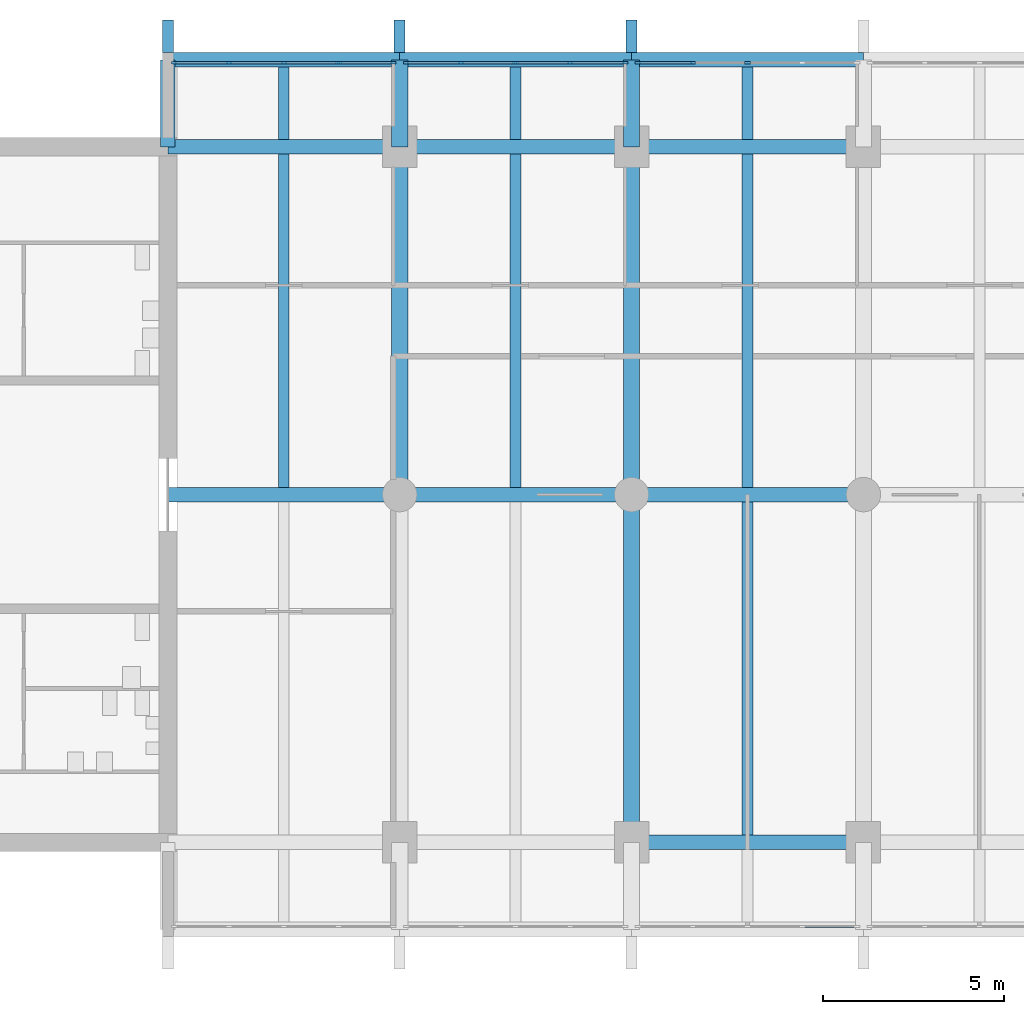
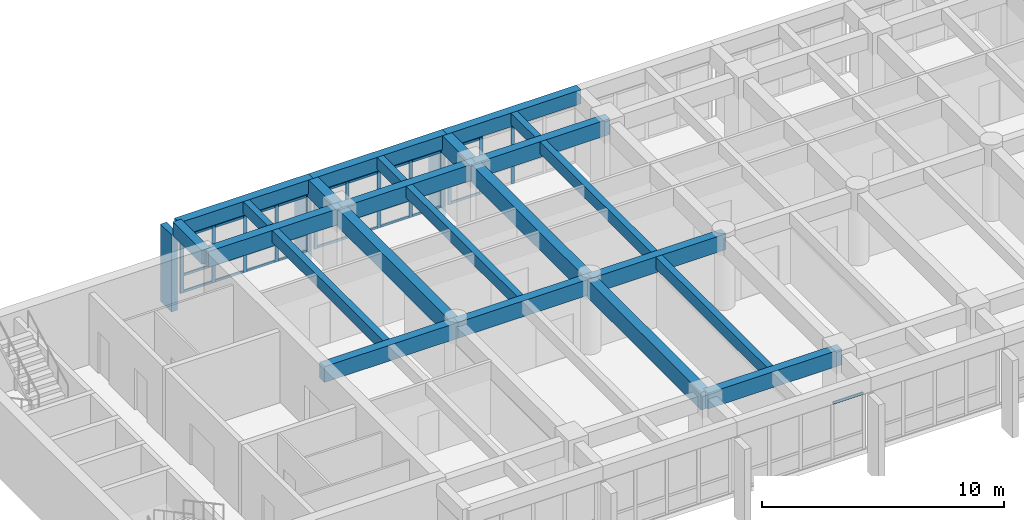
# One storey, part 3 of 15: 44 members, 23 beams, 4 elements without a shape of their own.
"""IFC4 building model written with IfcOpenShell, lengths in metres."""

from ifc_helpers import new_model, si_unit, direction, frame, origin, origin_2d, place, context, subcontext, project, spatial, rectangle, extrude, material, layer, layer_set, material_profile, profile_set, type_object, element, aggregate, save


model = new_model("IFC4")

# Units and contexts
model_context = context("Model", 3, precision=1e-05, world=origin(), true_north=direction((0.0, 1.0)))
body_context = subcontext(model_context, "Body", "Model", "MODEL_VIEW")
ifc_project = project(units=[si_unit("LENGTHUNIT", "METRE"), si_unit("AREAUNIT", "SQUARE_METRE"), si_unit("VOLUMEUNIT", "CUBIC_METRE"), si_unit("PLANEANGLEUNIT", "RADIAN"), si_unit("MASSUNIT", "GRAM", prefix="KILO")], contexts=[model_context])

# Site, building, storey
site_placement = place(None, origin())
site = spatial("IfcSite", under=ifc_project, at=site_placement, CompositionType="ELEMENT")
building_placement = place(site_placement, origin())
building = spatial("IfcBuilding", under=site, at=building_placement, Name="Fogon Plaza Fire Station and Headquarters Tower", CompositionType="ELEMENT")
storey_placement = place(building_placement, frame((0.0, 0.0, 40.5)))
storey = spatial("IfcBuildingStorey", under=building, at=storey_placement, Name="L10", CompositionType="ELEMENT", Elevation=40.5)

# Beams
ifc_material_1 = material(Name="Concrete C40", Category="concrete")
ifc_material_profile_1 = material_profile(ifc_material_1, rectangle(XDim=0.39990234375, YDim=0.699951171875, at=origin_2d()), Name="RC 400x700")
ifc_profile_set_1 = profile_set([ifc_material_profile_1], Name="Concrete C40")
beam_type_1 = type_object("IfcBeamType", Name="BEAM RC 400x700", PredefinedType="BEAM", material=ifc_profile_set_1)
for number, where, z_axis, x_axis, name in (
    (1, (25.60009765625, 55.199951171875, 3.330078125), (1.0, 0.0, 0.0), (0.0, 1.0, 0.0), "beam-L10-045"),
    (2, (32.0, 55.199951171875, 3.330078125), (1.0, 0.0, 0.0), (0.0, 1.0, 0.0), "beam-L10-046"),
):
    element("IfcBeam", number, at=place(storey_placement, frame(where, z_axis=z_axis, x_axis=x_axis)), inside=storey, type_object=beam_type_1, Name=name, PredefinedType="BEAM", context=body_context, shape_type="SweptSolid", body=[
        extrude(rectangle(XDim=0.39990234375, YDim=0.699951171875, at=origin_2d()), origin(), (0.0, 0.0, 1.0), 6.39990234375),
    ])
beam_1_placement = place(storey_placement, frame((38.39990234375, 55.199951171875, 3.330078125), z_axis=(1.0, 0.0, 0.0), x_axis=(0.0, 1.0, 0.0)))
element("IfcBeam", 3, at=beam_1_placement, inside=storey, type_object=beam_type_1, Name="beam-L10-047", PredefinedType="BEAM", context=body_context, shape_type="SweptSolid", body=[
    extrude(rectangle(XDim=0.39990234375, YDim=0.699951171875, at=origin_2d()), origin(), (0.0, 0.0, 1.0), 6.400146484375),
])
ifc_material_2 = material(Name="Concrete C40", Category="concrete")
ifc_material_profile_2 = material_profile(ifc_material_2, rectangle(XDim=0.39990234375, YDim=0.699951171875, at=origin_2d()), Name="RC 400x700")
ifc_profile_set_2 = profile_set([ifc_material_profile_2], Name="Concrete C40")
beam_type_2 = type_object("IfcBeamType", Name="BEAM RC 400x700 SPAN 0.0 TO 3.0 M", PredefinedType="BEAM", material=ifc_profile_set_2)
beam_2_placement = place(storey_placement, frame((25.60009765625, 52.800048828125, 3.330078125), z_axis=(0.0, 1.0, 0.0), x_axis=(-1.0, 0.0, 0.0)))
element("IfcBeam", 4, at=beam_2_placement, inside=storey, type_object=beam_type_2, Name="beam-L10-052", PredefinedType="BEAM", context=body_context, shape_type="SweptSolid", body=[
    extrude(rectangle(XDim=0.39990234375, YDim=0.699951171875, at=origin_2d()), origin(), (0.0, 0.0, 1.0), 2.39990234375),
])
ifc_material_3 = material(Name="Concrete C40", Category="concrete")
ifc_material_profile_3 = material_profile(ifc_material_3, rectangle(XDim=0.39990234375, YDim=0.800048828125, at=origin_2d()), Name="RC 400x800")
ifc_profile_set_3 = profile_set([ifc_material_profile_3], Name="Concrete C40")
beam_type_3 = type_object("IfcBeamType", Name="BEAM RC 400x800", PredefinedType="BEAM", material=ifc_profile_set_3)
beam_3_placement = place(storey_placement, frame((38.39990234375, 33.60009765625, 3.280029296875), z_axis=(1.0, 0.0, 0.0), x_axis=(0.0, 1.0, 0.0)))
element("IfcBeam", 5, at=beam_3_placement, inside=storey, type_object=beam_type_3, Name="beam-L10-023", PredefinedType="BEAM", context=body_context, shape_type="SweptSolid", body=[
    extrude(rectangle(XDim=0.39990234375, YDim=0.800048828125, at=origin_2d()), origin(), (0.0, 0.0, 1.0), 6.400146484375),
])
for number, where, z_axis, x_axis, name in (
    (6, (25.60009765625, 43.199951171875, 3.280029296875), (1.0, 0.0, 0.0), (0.0, 1.0, 0.0), "beam-L10-027"),
    (7, (32.0, 43.199951171875, 3.280029296875), (1.0, 0.0, 0.0), (0.0, 1.0, 0.0), "beam-L10-028"),
):
    element("IfcBeam", number, at=place(storey_placement, frame(where, z_axis=z_axis, x_axis=x_axis)), inside=storey, type_object=beam_type_3, Name=name, PredefinedType="BEAM", context=body_context, shape_type="SweptSolid", body=[
        extrude(rectangle(XDim=0.39990234375, YDim=0.800048828125, at=origin_2d()), origin(), (0.0, 0.0, 1.0), 6.39990234375),
    ])
beam_4_placement = place(storey_placement, frame((38.39990234375, 43.199951171875, 3.280029296875), z_axis=(1.0, 0.0, 0.0), x_axis=(0.0, 1.0, 0.0)))
element("IfcBeam", 8, at=beam_4_placement, inside=storey, type_object=beam_type_3, Name="beam-L10-029", PredefinedType="BEAM", context=body_context, shape_type="SweptSolid", body=[
    extrude(rectangle(XDim=0.39990234375, YDim=0.800048828125, at=origin_2d()), origin(), (0.0, 0.0, 1.0), 6.400146484375),
])
for number, where, z_axis, x_axis, name in (
    (9, (25.60009765625, 52.800048828125, 3.280029296875), (1.0, 0.0, 0.0), (0.0, 1.0, 0.0), "beam-L10-033"),
    (10, (32.0, 52.800048828125, 3.280029296875), (1.0, 0.0, 0.0), (0.0, 1.0, 0.0), "beam-L10-034"),
):
    element("IfcBeam", number, at=place(storey_placement, frame(where, z_axis=z_axis, x_axis=x_axis)), inside=storey, type_object=beam_type_3, Name=name, PredefinedType="BEAM", context=body_context, shape_type="SweptSolid", body=[
        extrude(rectangle(XDim=0.39990234375, YDim=0.800048828125, at=origin_2d()), origin(), (0.0, 0.0, 1.0), 6.39990234375),
    ])
beam_5_placement = place(storey_placement, frame((38.39990234375, 52.800048828125, 3.280029296875), z_axis=(1.0, 0.0, 0.0), x_axis=(0.0, 1.0, 0.0)))
element("IfcBeam", 11, at=beam_5_placement, inside=storey, type_object=beam_type_3, Name="beam-L10-035", PredefinedType="BEAM", context=body_context, shape_type="SweptSolid", body=[
    extrude(rectangle(XDim=0.39990234375, YDim=0.800048828125, at=origin_2d()), origin(), (0.0, 0.0, 1.0), 6.400146484375),
])
ifc_material_4 = material(Name="Concrete C40", Category="concrete")
ifc_material_profile_4 = material_profile(ifc_material_4, rectangle(XDim=0.449951171875, YDim=0.89990234375, at=origin_2d()), Name="RC 450x900")
ifc_profile_set_4 = profile_set([ifc_material_profile_4], Name="Concrete C40")
beam_type_4 = type_object("IfcBeamType", Name="BEAM RC 450x900", PredefinedType="BEAM", material=ifc_profile_set_4)
beam_6_placement = place(storey_placement, frame((32.0, 43.199951171875, 3.22998046875), z_axis=(0.0, 1.0, 0.0), x_axis=(-1.0, 0.0, 0.0)))
element("IfcBeam", 12, at=beam_6_placement, inside=storey, type_object=beam_type_4, Name="beam-L10-003", PredefinedType="BEAM", context=body_context, shape_type="SweptSolid", body=[
    extrude(rectangle(XDim=0.449951171875, YDim=0.89990234375, at=origin_2d()), origin(), (0.0, 0.0, 1.0), 9.60009765625),
])
beam_7_placement = place(storey_placement, frame((38.39990234375, 33.60009765625, 3.22998046875), z_axis=(0.0, 1.0, 0.0), x_axis=(-1.0, 0.0, 0.0)))
element("IfcBeam", 13, at=beam_7_placement, inside=storey, type_object=beam_type_4, Name="beam-L10-006", PredefinedType="BEAM", context=body_context, shape_type="SweptSolid", body=[
    extrude(rectangle(XDim=0.449951171875, YDim=0.89990234375, at=origin_2d()), origin(), (0.0, 0.0, 1.0), 9.599853515625),
])
beam_8_placement = place(storey_placement, frame((38.39990234375, 43.199951171875, 3.22998046875), z_axis=(0.0, 1.0, 0.0), x_axis=(-1.0, 0.0, 0.0)))
element("IfcBeam", 14, at=beam_8_placement, inside=storey, type_object=beam_type_4, Name="beam-L10-007", PredefinedType="BEAM", context=body_context, shape_type="SweptSolid", body=[
    extrude(rectangle(XDim=0.449951171875, YDim=0.89990234375, at=origin_2d()), origin(), (0.0, 0.0, 1.0), 9.60009765625),
])
ifc_material_5 = material(Name="Concrete C40", Category="concrete")
ifc_material_profile_5 = material_profile(ifc_material_5, rectangle(XDim=0.449951171875, YDim=0.89990234375, at=origin_2d()), Name="RC 450x900")
ifc_profile_set_5 = profile_set([ifc_material_profile_5], Name="Concrete C40")
beam_type_5 = type_object("IfcBeamType", Name="BEAM RC 450x900 SPAN 0.0 TO 3.0 M", PredefinedType="BEAM", material=ifc_profile_set_5)
for number, where, z_axis, x_axis, name in (
    (15, (32.0, 52.800048828125, 3.22998046875), (0.0, 1.0, 0.0), (-1.0, 0.0, 0.0), "beam-L10-004"),
    (16, (38.39990234375, 52.800048828125, 3.22998046875), (0.0, 1.0, 0.0), (-1.0, 0.0, 0.0), "beam-L10-008"),
):
    element("IfcBeam", number, at=place(storey_placement, frame(where, z_axis=z_axis, x_axis=x_axis)), inside=storey, type_object=beam_type_5, Name=name, PredefinedType="BEAM", context=body_context, shape_type="SweptSolid", body=[
        extrude(rectangle(XDim=0.449951171875, YDim=0.89990234375, at=origin_2d()), origin(), (0.0, 0.0, 1.0), 2.39990234375),
    ])

# Curtain wall, members
ifc_material_6 = material(Name="Aluminium and glass", Category="aluminium")
ifc_layer = layer(ifc_material_6, 0.14990234375)
ifc_layer_set = layer_set([ifc_layer], Name="Aluminium and glass")
curtain_wall_type = type_object("IfcCurtainWallType", Name="Unitised Curtain Wall Run 6100x2880", PredefinedType="NOTDEFINED", material=ifc_layer_set)
curtain_wall_1_placement = place(storey_placement, origin())
curtain_wall_1 = element("IfcCurtainWall", 17, at=curtain_wall_1_placement, inside=storey, type_object=curtain_wall_type, Name="CW-6100x2880 N1 L10", PredefinedType="NOTDEFINED")
ifc_material_7 = material(Name="Aluminium", Category="aluminium")
ifc_material_profile_6 = material_profile(ifc_material_7, rectangle(XDim=0.06005859375, YDim=0.159912109375, at=origin_2d()), Name="Curtain Wall Mullion 60x160")
ifc_profile_set_6 = profile_set([ifc_material_profile_6], Name="Aluminium")
member_type_1 = type_object("IfcMemberType", Name="Curtain Wall Mullion 60x160", PredefinedType="MULLION", material=ifc_profile_set_6)
member_1_placement = place(storey_placement, frame((25.780029296875, 55.1201171875, 0.0), z_axis=(0.0, 0.0, 1.0), x_axis=(0.0, 1.0, 0.0)))
member_1 = element("IfcMember", 18, at=member_1_placement, type_object=member_type_1, Name="CW-6100x2880 mullion 1", PredefinedType="MULLION", context=body_context, shape_type="SweptSolid", body=[
    extrude(rectangle(XDim=0.06005859375, YDim=0.159912109375, at=origin_2d()), origin(), (0.0, 0.0, 1.0), 2.8798828125),
])
member_2_placement = place(storey_placement, frame((27.2900390625, 55.1201171875, 0.0), z_axis=(0.0, 0.0, 1.0), x_axis=(0.0, 1.0, 0.0)))
member_2 = element("IfcMember", 19, at=member_2_placement, type_object=member_type_1, Name="CW-6100x2880 mullion 2", PredefinedType="MULLION", context=body_context, shape_type="SweptSolid", body=[
    extrude(rectangle(XDim=0.06005859375, YDim=0.159912109375, at=origin_2d()), origin(), (0.0, 0.0, 1.0), 2.8798828125),
])
member_3_placement = place(storey_placement, frame((28.800048828125, 55.1201171875, 0.0), z_axis=(0.0, 0.0, 1.0), x_axis=(0.0, 1.0, 0.0)))
member_3 = element("IfcMember", 20, at=member_3_placement, type_object=member_type_1, Name="CW-6100x2880 mullion 3", PredefinedType="MULLION", context=body_context, shape_type="SweptSolid", body=[
    extrude(rectangle(XDim=0.06005859375, YDim=0.159912109375, at=origin_2d()), origin(), (0.0, 0.0, 1.0), 2.8798828125),
])
member_4_placement = place(storey_placement, frame((30.31005859375, 55.1201171875, 0.0), z_axis=(0.0, 0.0, 1.0), x_axis=(0.0, 1.0, 0.0)))
member_4 = element("IfcMember", 21, at=member_4_placement, type_object=member_type_1, Name="CW-6100x2880 mullion 4", PredefinedType="MULLION", context=body_context, shape_type="SweptSolid", body=[
    extrude(rectangle(XDim=0.06005859375, YDim=0.159912109375, at=origin_2d()), origin(), (0.0, 0.0, 1.0), 2.8798828125),
])
member_5_placement = place(storey_placement, frame((31.820068359375, 55.1201171875, 0.0), z_axis=(0.0, 0.0, 1.0), x_axis=(0.0, 1.0, 0.0)))
member_5 = element("IfcMember", 22, at=member_5_placement, type_object=member_type_1, Name="CW-6100x2880 mullion 5", PredefinedType="MULLION", context=body_context, shape_type="SweptSolid", body=[
    extrude(rectangle(XDim=0.06005859375, YDim=0.159912109375, at=origin_2d()), origin(), (0.0, 0.0, 1.0), 2.8798828125),
])

curtain_wall_2_placement = place(storey_placement, origin())
curtain_wall_2 = element("IfcCurtainWall", 23, at=curtain_wall_2_placement, inside=storey, type_object=curtain_wall_type, Name="CW-6100x2880 N2 L10", PredefinedType="NOTDEFINED")
member_6_placement = place(storey_placement, frame((32.179931640625, 55.1201171875, 0.0), z_axis=(0.0, 0.0, 1.0), x_axis=(0.0, 1.0, 0.0)))
member_6 = element("IfcMember", 24, at=member_6_placement, type_object=member_type_1, Name="CW-6100x2880 mullion 1", PredefinedType="MULLION", context=body_context, shape_type="SweptSolid", body=[
    extrude(rectangle(XDim=0.06005859375, YDim=0.159912109375, at=origin_2d()), origin(), (0.0, 0.0, 1.0), 2.8798828125),
])
member_7_placement = place(storey_placement, frame((33.68994140625, 55.1201171875, 0.0), z_axis=(0.0, 0.0, 1.0), x_axis=(0.0, 1.0, 0.0)))
member_7 = element("IfcMember", 25, at=member_7_placement, type_object=member_type_1, Name="CW-6100x2880 mullion 2", PredefinedType="MULLION", context=body_context, shape_type="SweptSolid", body=[
    extrude(rectangle(XDim=0.06005859375, YDim=0.159912109375, at=origin_2d()), origin(), (0.0, 0.0, 1.0), 2.8798828125),
])
member_8_placement = place(storey_placement, frame((35.199951171875, 55.1201171875, 0.0), z_axis=(0.0, 0.0, 1.0), x_axis=(0.0, 1.0, 0.0)))
member_8 = element("IfcMember", 26, at=member_8_placement, type_object=member_type_1, Name="CW-6100x2880 mullion 3", PredefinedType="MULLION", context=body_context, shape_type="SweptSolid", body=[
    extrude(rectangle(XDim=0.06005859375, YDim=0.159912109375, at=origin_2d()), origin(), (0.0, 0.0, 1.0), 2.8798828125),
])
member_9_placement = place(storey_placement, frame((36.7099609375, 55.1201171875, 0.0), z_axis=(0.0, 0.0, 1.0), x_axis=(0.0, 1.0, 0.0)))
member_9 = element("IfcMember", 27, at=member_9_placement, type_object=member_type_1, Name="CW-6100x2880 mullion 4", PredefinedType="MULLION", context=body_context, shape_type="SweptSolid", body=[
    extrude(rectangle(XDim=0.06005859375, YDim=0.159912109375, at=origin_2d()), origin(), (0.0, 0.0, 1.0), 2.8798828125),
])
member_10_placement = place(storey_placement, frame((38.219970703125, 55.1201171875, 0.0), z_axis=(0.0, 0.0, 1.0), x_axis=(0.0, 1.0, 0.0)))
member_10 = element("IfcMember", 28, at=member_10_placement, type_object=member_type_1, Name="CW-6100x2880 mullion 5", PredefinedType="MULLION", context=body_context, shape_type="SweptSolid", body=[
    extrude(rectangle(XDim=0.06005859375, YDim=0.159912109375, at=origin_2d()), origin(), (0.0, 0.0, 1.0), 2.8798828125),
])

curtain_wall_3_placement = place(storey_placement, origin())
curtain_wall_3 = element("IfcCurtainWall", 29, at=curtain_wall_3_placement, inside=storey, type_object=curtain_wall_type, Name="CW-6100x2880 N3 L10", PredefinedType="NOTDEFINED")
member_11_placement = place(storey_placement, frame((38.580078125, 55.1201171875, 0.0), z_axis=(0.0, 0.0, 1.0), x_axis=(0.0, 1.0, 0.0)))
member_11 = element("IfcMember", 30, at=member_11_placement, type_object=member_type_1, Name="CW-6100x2880 mullion 1", PredefinedType="MULLION", context=body_context, shape_type="SweptSolid", body=[
    extrude(rectangle(XDim=0.06005859375, YDim=0.159912109375, at=origin_2d()), origin(), (0.0, 0.0, 1.0), 2.8798828125),
])
member_12_placement = place(storey_placement, frame((40.090087890625, 55.1201171875, 0.0), z_axis=(0.0, 0.0, 1.0), x_axis=(0.0, 1.0, 0.0)))
member_12 = element("IfcMember", 31, at=member_12_placement, type_object=member_type_1, Name="CW-6100x2880 mullion 2", PredefinedType="MULLION", context=body_context, shape_type="SweptSolid", body=[
    extrude(rectangle(XDim=0.06005859375, YDim=0.159912109375, at=origin_2d()), origin(), (0.0, 0.0, 1.0), 2.8798828125),
])
member_13_placement = place(storey_placement, frame((41.60009765625, 55.1201171875, 0.0), z_axis=(0.0, 0.0, 1.0), x_axis=(0.0, 1.0, 0.0)))
member_13 = element("IfcMember", 32, at=member_13_placement, type_object=member_type_1, Name="CW-6100x2880 mullion 3", PredefinedType="MULLION", context=body_context, shape_type="SweptSolid", body=[
    extrude(rectangle(XDim=0.06005859375, YDim=0.159912109375, at=origin_2d()), origin(), (0.0, 0.0, 1.0), 2.8798828125),
])

# Curtain wall, member
curtain_wall_4_placement = place(storey_placement, origin())
curtain_wall_4 = element("IfcCurtainWall", 33, at=curtain_wall_4_placement, inside=storey, type_object=curtain_wall_type, Name="CW-6100x2880 S3 L10", PredefinedType="NOTDEFINED")
ifc_material_8 = material(Name="Aluminium", Category="aluminium")
ifc_material_profile_7 = material_profile(ifc_material_8, rectangle(XDim=0.06005859375, YDim=0.1201171875, at=origin_2d()), Name="Curtain Wall Transom 60x120")
ifc_profile_set_7 = profile_set([ifc_material_profile_7], Name="Aluminium")
member_type_2 = type_object("IfcMemberType", Name="Curtain Wall Transom 60x120", PredefinedType="USERDEFINED", material=ifc_profile_set_7)
member_14_placement = place(storey_placement, frame((43.139892578125, 31.280029296875, 2.820068359375), z_axis=(1.0, 0.0, 0.0), x_axis=(0.0, 1.0, 0.0)))
member_14 = element("IfcMember", 34, at=member_14_placement, type_object=member_type_2, Name="CW-6100x2880 transom 4.3", ObjectType="TRANSOM", PredefinedType="USERDEFINED", context=body_context, shape_type="SweptSolid", body=[
    extrude(rectangle(XDim=0.06005859375, YDim=0.1201171875, at=origin_2d()), origin(), (0.0, 0.0, 1.0), 1.4501953125),
])
aggregate(curtain_wall_4, [member_14])

# Member
member_15_placement = place(storey_placement, frame((25.81005859375, 55.1201171875, 0.06005859375), z_axis=(1.0, 0.0, 0.0), x_axis=(0.0, 1.0, 0.0)))
member_15 = element("IfcMember", 35, at=member_15_placement, type_object=member_type_2, Name="CW-6100x2880 transom 1.1", ObjectType="TRANSOM", PredefinedType="USERDEFINED", context=body_context, shape_type="SweptSolid", body=[
    extrude(rectangle(XDim=0.06005859375, YDim=0.1201171875, at=origin_2d()), origin(), (0.0, 0.0, 1.0), 1.449951171875),
])

member_16_placement = place(storey_placement, frame((25.81005859375, 55.1201171875, 0.89990234375), z_axis=(1.0, 0.0, 0.0), x_axis=(0.0, 1.0, 0.0)))
member_16 = element("IfcMember", 36, at=member_16_placement, type_object=member_type_2, Name="CW-6100x2880 transom 1.2", ObjectType="TRANSOM", PredefinedType="USERDEFINED", context=body_context, shape_type="SweptSolid", body=[
    extrude(rectangle(XDim=0.06005859375, YDim=0.1201171875, at=origin_2d()), origin(), (0.0, 0.0, 1.0), 1.449951171875),
])

member_17_placement = place(storey_placement, frame((25.81005859375, 55.1201171875, 2.820068359375), z_axis=(1.0, 0.0, 0.0), x_axis=(0.0, 1.0, 0.0)))
member_17 = element("IfcMember", 37, at=member_17_placement, type_object=member_type_2, Name="CW-6100x2880 transom 1.3", ObjectType="TRANSOM", PredefinedType="USERDEFINED", context=body_context, shape_type="SweptSolid", body=[
    extrude(rectangle(XDim=0.06005859375, YDim=0.1201171875, at=origin_2d()), origin(), (0.0, 0.0, 1.0), 1.449951171875),
])

member_18_placement = place(storey_placement, frame((27.320068359375, 55.1201171875, 0.06005859375), z_axis=(1.0, 0.0, 0.0), x_axis=(0.0, 1.0, 0.0)))
member_18 = element("IfcMember", 38, at=member_18_placement, type_object=member_type_2, Name="CW-6100x2880 transom 2.1", ObjectType="TRANSOM", PredefinedType="USERDEFINED", context=body_context, shape_type="SweptSolid", body=[
    extrude(rectangle(XDim=0.06005859375, YDim=0.1201171875, at=origin_2d()), origin(), (0.0, 0.0, 1.0), 1.449951171875),
])

member_19_placement = place(storey_placement, frame((27.320068359375, 55.1201171875, 0.89990234375), z_axis=(1.0, 0.0, 0.0), x_axis=(0.0, 1.0, 0.0)))
member_19 = element("IfcMember", 39, at=member_19_placement, type_object=member_type_2, Name="CW-6100x2880 transom 2.2", ObjectType="TRANSOM", PredefinedType="USERDEFINED", context=body_context, shape_type="SweptSolid", body=[
    extrude(rectangle(XDim=0.06005859375, YDim=0.1201171875, at=origin_2d()), origin(), (0.0, 0.0, 1.0), 1.449951171875),
])

member_20_placement = place(storey_placement, frame((27.320068359375, 55.1201171875, 2.820068359375), z_axis=(1.0, 0.0, 0.0), x_axis=(0.0, 1.0, 0.0)))
member_20 = element("IfcMember", 40, at=member_20_placement, type_object=member_type_2, Name="CW-6100x2880 transom 2.3", ObjectType="TRANSOM", PredefinedType="USERDEFINED", context=body_context, shape_type="SweptSolid", body=[
    extrude(rectangle(XDim=0.06005859375, YDim=0.1201171875, at=origin_2d()), origin(), (0.0, 0.0, 1.0), 1.449951171875),
])

member_21_placement = place(storey_placement, frame((28.830078125, 55.1201171875, 0.06005859375), z_axis=(1.0, 0.0, 0.0), x_axis=(0.0, 1.0, 0.0)))
member_21 = element("IfcMember", 41, at=member_21_placement, type_object=member_type_2, Name="CW-6100x2880 transom 3.1", ObjectType="TRANSOM", PredefinedType="USERDEFINED", context=body_context, shape_type="SweptSolid", body=[
    extrude(rectangle(XDim=0.06005859375, YDim=0.1201171875, at=origin_2d()), origin(), (0.0, 0.0, 1.0), 1.449951171875),
])

member_22_placement = place(storey_placement, frame((28.830078125, 55.1201171875, 0.89990234375), z_axis=(1.0, 0.0, 0.0), x_axis=(0.0, 1.0, 0.0)))
member_22 = element("IfcMember", 42, at=member_22_placement, type_object=member_type_2, Name="CW-6100x2880 transom 3.2", ObjectType="TRANSOM", PredefinedType="USERDEFINED", context=body_context, shape_type="SweptSolid", body=[
    extrude(rectangle(XDim=0.06005859375, YDim=0.1201171875, at=origin_2d()), origin(), (0.0, 0.0, 1.0), 1.449951171875),
])

member_23_placement = place(storey_placement, frame((28.830078125, 55.1201171875, 2.820068359375), z_axis=(1.0, 0.0, 0.0), x_axis=(0.0, 1.0, 0.0)))
member_23 = element("IfcMember", 43, at=member_23_placement, type_object=member_type_2, Name="CW-6100x2880 transom 3.3", ObjectType="TRANSOM", PredefinedType="USERDEFINED", context=body_context, shape_type="SweptSolid", body=[
    extrude(rectangle(XDim=0.06005859375, YDim=0.1201171875, at=origin_2d()), origin(), (0.0, 0.0, 1.0), 1.449951171875),
])

member_24_placement = place(storey_placement, frame((30.340087890625, 55.1201171875, 0.06005859375), z_axis=(1.0, 0.0, 0.0), x_axis=(0.0, 1.0, 0.0)))
member_24 = element("IfcMember", 44, at=member_24_placement, type_object=member_type_2, Name="CW-6100x2880 transom 4.1", ObjectType="TRANSOM", PredefinedType="USERDEFINED", context=body_context, shape_type="SweptSolid", body=[
    extrude(rectangle(XDim=0.06005859375, YDim=0.1201171875, at=origin_2d()), origin(), (0.0, 0.0, 1.0), 1.449951171875),
])

member_25_placement = place(storey_placement, frame((30.340087890625, 55.1201171875, 0.89990234375), z_axis=(1.0, 0.0, 0.0), x_axis=(0.0, 1.0, 0.0)))
member_25 = element("IfcMember", 45, at=member_25_placement, type_object=member_type_2, Name="CW-6100x2880 transom 4.2", ObjectType="TRANSOM", PredefinedType="USERDEFINED", context=body_context, shape_type="SweptSolid", body=[
    extrude(rectangle(XDim=0.06005859375, YDim=0.1201171875, at=origin_2d()), origin(), (0.0, 0.0, 1.0), 1.449951171875),
])

member_26_placement = place(storey_placement, frame((30.340087890625, 55.1201171875, 2.820068359375), z_axis=(1.0, 0.0, 0.0), x_axis=(0.0, 1.0, 0.0)))
member_26 = element("IfcMember", 46, at=member_26_placement, type_object=member_type_2, Name="CW-6100x2880 transom 4.3", ObjectType="TRANSOM", PredefinedType="USERDEFINED", context=body_context, shape_type="SweptSolid", body=[
    extrude(rectangle(XDim=0.06005859375, YDim=0.1201171875, at=origin_2d()), origin(), (0.0, 0.0, 1.0), 1.449951171875),
])

aggregate(curtain_wall_1, [member_1, member_2, member_3, member_4, member_5, member_15, member_16, member_17, member_18, member_19, member_20, member_21, member_22, member_23, member_24, member_25, member_26])

member_27_placement = place(storey_placement, frame((32.2099609375, 55.1201171875, 0.06005859375), z_axis=(1.0, 0.0, 0.0), x_axis=(0.0, 1.0, 0.0)))
member_27 = element("IfcMember", 47, at=member_27_placement, type_object=member_type_2, Name="CW-6100x2880 transom 1.1", ObjectType="TRANSOM", PredefinedType="USERDEFINED", context=body_context, shape_type="SweptSolid", body=[
    extrude(rectangle(XDim=0.06005859375, YDim=0.1201171875, at=origin_2d()), origin(), (0.0, 0.0, 1.0), 1.449951171875),
])

member_28_placement = place(storey_placement, frame((32.2099609375, 55.1201171875, 0.89990234375), z_axis=(1.0, 0.0, 0.0), x_axis=(0.0, 1.0, 0.0)))
member_28 = element("IfcMember", 48, at=member_28_placement, type_object=member_type_2, Name="CW-6100x2880 transom 1.2", ObjectType="TRANSOM", PredefinedType="USERDEFINED", context=body_context, shape_type="SweptSolid", body=[
    extrude(rectangle(XDim=0.06005859375, YDim=0.1201171875, at=origin_2d()), origin(), (0.0, 0.0, 1.0), 1.449951171875),
])

member_29_placement = place(storey_placement, frame((32.2099609375, 55.1201171875, 2.820068359375), z_axis=(1.0, 0.0, 0.0), x_axis=(0.0, 1.0, 0.0)))
member_29 = element("IfcMember", 49, at=member_29_placement, type_object=member_type_2, Name="CW-6100x2880 transom 1.3", ObjectType="TRANSOM", PredefinedType="USERDEFINED", context=body_context, shape_type="SweptSolid", body=[
    extrude(rectangle(XDim=0.06005859375, YDim=0.1201171875, at=origin_2d()), origin(), (0.0, 0.0, 1.0), 1.449951171875),
])

member_30_placement = place(storey_placement, frame((33.719970703125, 55.1201171875, 0.06005859375), z_axis=(1.0, 0.0, 0.0), x_axis=(0.0, 1.0, 0.0)))
member_30 = element("IfcMember", 50, at=member_30_placement, type_object=member_type_2, Name="CW-6100x2880 transom 2.1", ObjectType="TRANSOM", PredefinedType="USERDEFINED", context=body_context, shape_type="SweptSolid", body=[
    extrude(rectangle(XDim=0.06005859375, YDim=0.1201171875, at=origin_2d()), origin(), (0.0, 0.0, 1.0), 1.449951171875),
])

member_31_placement = place(storey_placement, frame((33.719970703125, 55.1201171875, 0.89990234375), z_axis=(1.0, 0.0, 0.0), x_axis=(0.0, 1.0, 0.0)))
member_31 = element("IfcMember", 51, at=member_31_placement, type_object=member_type_2, Name="CW-6100x2880 transom 2.2", ObjectType="TRANSOM", PredefinedType="USERDEFINED", context=body_context, shape_type="SweptSolid", body=[
    extrude(rectangle(XDim=0.06005859375, YDim=0.1201171875, at=origin_2d()), origin(), (0.0, 0.0, 1.0), 1.449951171875),
])

member_32_placement = place(storey_placement, frame((33.719970703125, 55.1201171875, 2.820068359375), z_axis=(1.0, 0.0, 0.0), x_axis=(0.0, 1.0, 0.0)))
member_32 = element("IfcMember", 52, at=member_32_placement, type_object=member_type_2, Name="CW-6100x2880 transom 2.3", ObjectType="TRANSOM", PredefinedType="USERDEFINED", context=body_context, shape_type="SweptSolid", body=[
    extrude(rectangle(XDim=0.06005859375, YDim=0.1201171875, at=origin_2d()), origin(), (0.0, 0.0, 1.0), 1.449951171875),
])

member_33_placement = place(storey_placement, frame((35.22998046875, 55.1201171875, 0.06005859375), z_axis=(1.0, 0.0, 0.0), x_axis=(0.0, 1.0, 0.0)))
member_33 = element("IfcMember", 53, at=member_33_placement, type_object=member_type_2, Name="CW-6100x2880 transom 3.1", ObjectType="TRANSOM", PredefinedType="USERDEFINED", context=body_context, shape_type="SweptSolid", body=[
    extrude(rectangle(XDim=0.06005859375, YDim=0.1201171875, at=origin_2d()), origin(), (0.0, 0.0, 1.0), 1.449951171875),
])

member_34_placement = place(storey_placement, frame((35.22998046875, 55.1201171875, 0.89990234375), z_axis=(1.0, 0.0, 0.0), x_axis=(0.0, 1.0, 0.0)))
member_34 = element("IfcMember", 54, at=member_34_placement, type_object=member_type_2, Name="CW-6100x2880 transom 3.2", ObjectType="TRANSOM", PredefinedType="USERDEFINED", context=body_context, shape_type="SweptSolid", body=[
    extrude(rectangle(XDim=0.06005859375, YDim=0.1201171875, at=origin_2d()), origin(), (0.0, 0.0, 1.0), 1.449951171875),
])

member_35_placement = place(storey_placement, frame((35.22998046875, 55.1201171875, 2.820068359375), z_axis=(1.0, 0.0, 0.0), x_axis=(0.0, 1.0, 0.0)))
member_35 = element("IfcMember", 55, at=member_35_placement, type_object=member_type_2, Name="CW-6100x2880 transom 3.3", ObjectType="TRANSOM", PredefinedType="USERDEFINED", context=body_context, shape_type="SweptSolid", body=[
    extrude(rectangle(XDim=0.06005859375, YDim=0.1201171875, at=origin_2d()), origin(), (0.0, 0.0, 1.0), 1.449951171875),
])

member_36_placement = place(storey_placement, frame((36.739990234375, 55.1201171875, 0.06005859375), z_axis=(1.0, 0.0, 0.0), x_axis=(0.0, 1.0, 0.0)))
member_36 = element("IfcMember", 56, at=member_36_placement, type_object=member_type_2, Name="CW-6100x2880 transom 4.1", ObjectType="TRANSOM", PredefinedType="USERDEFINED", context=body_context, shape_type="SweptSolid", body=[
    extrude(rectangle(XDim=0.06005859375, YDim=0.1201171875, at=origin_2d()), origin(), (0.0, 0.0, 1.0), 1.449951171875),
])

member_37_placement = place(storey_placement, frame((36.739990234375, 55.1201171875, 0.89990234375), z_axis=(1.0, 0.0, 0.0), x_axis=(0.0, 1.0, 0.0)))
member_37 = element("IfcMember", 57, at=member_37_placement, type_object=member_type_2, Name="CW-6100x2880 transom 4.2", ObjectType="TRANSOM", PredefinedType="USERDEFINED", context=body_context, shape_type="SweptSolid", body=[
    extrude(rectangle(XDim=0.06005859375, YDim=0.1201171875, at=origin_2d()), origin(), (0.0, 0.0, 1.0), 1.449951171875),
])

member_38_placement = place(storey_placement, frame((36.739990234375, 55.1201171875, 2.820068359375), z_axis=(1.0, 0.0, 0.0), x_axis=(0.0, 1.0, 0.0)))
member_38 = element("IfcMember", 58, at=member_38_placement, type_object=member_type_2, Name="CW-6100x2880 transom 4.3", ObjectType="TRANSOM", PredefinedType="USERDEFINED", context=body_context, shape_type="SweptSolid", body=[
    extrude(rectangle(XDim=0.06005859375, YDim=0.1201171875, at=origin_2d()), origin(), (0.0, 0.0, 1.0), 1.449951171875),
])

aggregate(curtain_wall_2, [member_6, member_7, member_8, member_9, member_10, member_27, member_28, member_29, member_30, member_31, member_32, member_33, member_34, member_35, member_36, member_37, member_38])

member_39_placement = place(storey_placement, frame((38.610107421875, 55.1201171875, 0.06005859375), z_axis=(1.0, 0.0, 0.0), x_axis=(0.0, 1.0, 0.0)))
member_39 = element("IfcMember", 59, at=member_39_placement, type_object=member_type_2, Name="CW-6100x2880 transom 1.1", ObjectType="TRANSOM", PredefinedType="USERDEFINED", context=body_context, shape_type="SweptSolid", body=[
    extrude(rectangle(XDim=0.06005859375, YDim=0.1201171875, at=origin_2d()), origin(), (0.0, 0.0, 1.0), 1.449951171875),
])

member_40_placement = place(storey_placement, frame((38.610107421875, 55.1201171875, 0.89990234375), z_axis=(1.0, 0.0, 0.0), x_axis=(0.0, 1.0, 0.0)))
member_40 = element("IfcMember", 60, at=member_40_placement, type_object=member_type_2, Name="CW-6100x2880 transom 1.2", ObjectType="TRANSOM", PredefinedType="USERDEFINED", context=body_context, shape_type="SweptSolid", body=[
    extrude(rectangle(XDim=0.06005859375, YDim=0.1201171875, at=origin_2d()), origin(), (0.0, 0.0, 1.0), 1.449951171875),
])

member_41_placement = place(storey_placement, frame((38.610107421875, 55.1201171875, 2.820068359375), z_axis=(1.0, 0.0, 0.0), x_axis=(0.0, 1.0, 0.0)))
member_41 = element("IfcMember", 61, at=member_41_placement, type_object=member_type_2, Name="CW-6100x2880 transom 1.3", ObjectType="TRANSOM", PredefinedType="USERDEFINED", context=body_context, shape_type="SweptSolid", body=[
    extrude(rectangle(XDim=0.06005859375, YDim=0.1201171875, at=origin_2d()), origin(), (0.0, 0.0, 1.0), 1.449951171875),
])

aggregate(curtain_wall_3, [member_11, member_12, member_13, member_39, member_40, member_41])

# Beams
ifc_material_9 = material(Name="Concrete C40", Category="concrete")
ifc_material_profile_8 = material_profile(ifc_material_9, rectangle(XDim=0.300048828125, YDim=0.60009765625, at=origin_2d()), Name="RC 300x600")
ifc_profile_set_8 = profile_set([ifc_material_profile_8], Name="Concrete C40")
beam_type_6 = type_object("IfcBeamType", Name="JOIST RC 300x600", PredefinedType="JOIST", material=ifc_profile_set_8)
for number, where, z_axis, x_axis, name in (
    (62, (28.800048828125, 43.39990234375, 3.3798828125), (0.0, 1.0, 0.0), (-1.0, 0.0, 0.0), "beam-L10-057"),
    (63, (35.199951171875, 43.39990234375, 3.3798828125), (0.0, 1.0, 0.0), (-1.0, 0.0, 0.0), "beam-L10-061"),
):
    element("IfcBeam", number, at=place(storey_placement, frame(where, z_axis=z_axis, x_axis=x_axis)), inside=storey, type_object=beam_type_6, Name=name, PredefinedType="JOIST", context=body_context, shape_type="SweptSolid", body=[
        extrude(rectangle(XDim=0.300048828125, YDim=0.60009765625, at=origin_2d()), origin(), (0.0, 0.0, 1.0), 9.2001953125),
    ])
beam_9_placement = place(storey_placement, frame((41.60009765625, 33.800048828125, 3.3798828125), z_axis=(0.0, 1.0, 0.0), x_axis=(-1.0, 0.0, 0.0)))
element("IfcBeam", 64, at=beam_9_placement, inside=storey, type_object=beam_type_6, Name="beam-L10-064", PredefinedType="JOIST", context=body_context, shape_type="SweptSolid", body=[
    extrude(rectangle(XDim=0.300048828125, YDim=0.60009765625, at=origin_2d()), origin(), (0.0, 0.0, 1.0), 9.199951171875),
])
beam_10_placement = place(storey_placement, frame((41.60009765625, 43.39990234375, 3.3798828125), z_axis=(0.0, 1.0, 0.0), x_axis=(-1.0, 0.0, 0.0)))
element("IfcBeam", 65, at=beam_10_placement, inside=storey, type_object=beam_type_6, Name="beam-L10-065", PredefinedType="JOIST", context=body_context, shape_type="SweptSolid", body=[
    extrude(rectangle(XDim=0.300048828125, YDim=0.60009765625, at=origin_2d()), origin(), (0.0, 0.0, 1.0), 9.2001953125),
])
ifc_material_10 = material(Name="Concrete C40", Category="concrete")
ifc_material_profile_9 = material_profile(ifc_material_10, rectangle(XDim=0.300048828125, YDim=0.60009765625, at=origin_2d()), Name="RC 300x600")
ifc_profile_set_9 = profile_set([ifc_material_profile_9], Name="Concrete C40")
beam_type_7 = type_object("IfcBeamType", Name="JOIST RC 300x600 SPAN 0.0 TO 3.0 M", PredefinedType="JOIST", material=ifc_profile_set_9)
for number, where, z_axis, x_axis, name in (
    (66, (28.800048828125, 53.0, 3.3798828125), (0.0, 1.0, 0.0), (-1.0, 0.0, 0.0), "beam-L10-058"),
    (67, (35.199951171875, 53.0, 3.3798828125), (0.0, 1.0, 0.0), (-1.0, 0.0, 0.0), "beam-L10-062"),
    (68, (41.60009765625, 53.0, 3.3798828125), (0.0, 1.0, 0.0), (-1.0, 0.0, 0.0), "beam-L10-066"),
):
    element("IfcBeam", number, at=place(storey_placement, frame(where, z_axis=z_axis, x_axis=x_axis)), inside=storey, type_object=beam_type_7, Name=name, PredefinedType="JOIST", context=body_context, shape_type="SweptSolid", body=[
        extrude(rectangle(XDim=0.300048828125, YDim=0.60009765625, at=origin_2d()), origin(), (0.0, 0.0, 1.0), 2.0),
    ])

# Members
ifc_material_11 = material(Name="Concrete C40 precast", Category="concrete")
ifc_material_profile_10 = material_profile(ifc_material_11, rectangle(XDim=0.300048828125, YDim=0.89990234375, at=origin_2d()), Name="Precast Concrete Post 300x900")
ifc_profile_set_10 = profile_set([ifc_material_profile_10], Name="Concrete C40 precast")
member_type_3 = type_object("IfcMemberType", Name="Precast Concrete Post 300x900", PredefinedType="POST", material=ifc_profile_set_10)
for number, where, z_axis, x_axis, name in (
    (69, (25.60009765625, 55.85009765625, -1.02001953125), (0.0, 0.0, 1.0), (1.0, 0.0, 0.0), "Precast Post N L10"),
    (70, (32.0, 55.85009765625, -1.02001953125), (0.0, 0.0, 1.0), (1.0, 0.0, 0.0), "Precast Post N L10"),
    (71, (38.39990234375, 55.85009765625, -1.02001953125), (0.0, 0.0, 1.0), (1.0, 0.0, 0.0), "Precast Post N L10"),
):
    element("IfcMember", number, at=place(storey_placement, frame(where, z_axis=z_axis, x_axis=x_axis)), inside=storey, type_object=member_type_3, Name=name, PredefinedType="POST", context=body_context, shape_type="SweptSolid", body=[
        extrude(rectangle(XDim=0.300048828125, YDim=0.89990234375, at=origin_2d()), origin(), (0.0, 0.0, 1.0), 3.89990234375),
    ])

save(model, "model.ifc")
